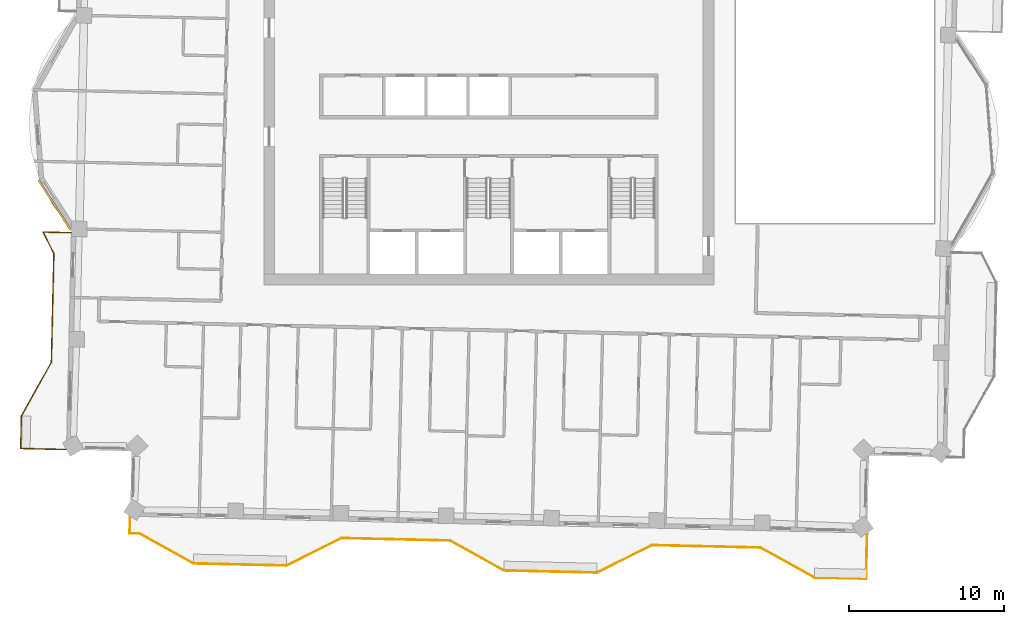
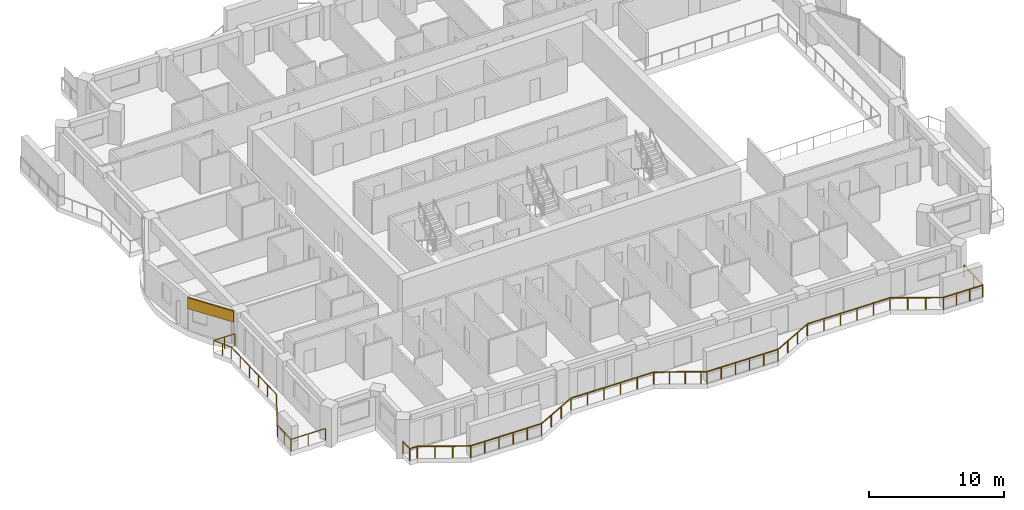
# One storey, part 14 of 17: 2 railings, 1 covering.
"""IFC4 building model written with IfcOpenShell, lengths in metres."""

from ifc_helpers import new_model, si_unit, direction, frame, frame_2d, origin, origin_2d, place, context, subcontext, project, spatial, rectangle, extrude, material, layer, layer_set, type_object, element, save


model = new_model("IFC4")

# Units and contexts
model_context = context("Model", 3, precision=1e-05, world=origin(), true_north=direction((0.0, 1.0)))
body_context = subcontext(model_context, "Body", "Model", "MODEL_VIEW")
ifc_project = project(units=[si_unit("LENGTHUNIT", "METRE"), si_unit("AREAUNIT", "SQUARE_METRE"), si_unit("VOLUMEUNIT", "CUBIC_METRE"), si_unit("PLANEANGLEUNIT", "RADIAN"), si_unit("MASSUNIT", "GRAM", prefix="KILO")], contexts=[model_context])

# Site, building, storey
site_placement = place(None, origin())
site = spatial("IfcSite", under=ifc_project, at=site_placement, CompositionType="ELEMENT")
building_placement = place(site_placement, origin())
building = spatial("IfcBuilding", under=site, at=building_placement, Name="Mangrove Gate Tower", CompositionType="ELEMENT")
storey_placement = place(building_placement, frame((0.0, 0.0, 257.300048828125)))
storey = spatial("IfcBuildingStorey", under=building, at=storey_placement, Name="L65", CompositionType="ELEMENT", Elevation=257.300048828125)

# Railings
ifc_material_1 = material(Name="Stainless steel grade 316 with laminated glass infill", Category="steel")
railing_type = type_object("IfcRailingType", Name="Balcony guard 1100", PredefinedType="GUARDRAIL", material=ifc_material_1)
railing_1_placement = place(storey_placement, frame((-26.929931640625, -8.1298828125, 0.0)))
element("IfcRailing", 1, at=railing_1_placement, inside=storey, type_object=railing_type, Name="GUARD L65 W2", PredefinedType="GUARDRAIL", context=body_context, shape_type="SweptSolid", body=[
    extrude(rectangle(XDim=0.048095703125, YDim=0.048095703125, at=origin_2d()), frame((0.0, 0.0, 1.076171875), z_axis=(-0.99973957308, 0.022820736564, 0.0), x_axis=(-0.022820736564, -0.99973957308, 0.0)), (0.0, 0.0, 1.0), 1.78662109375),
    extrude(rectangle(XDim=0.048095703125, YDim=0.048095703125, at=origin_2d()), frame((-1.7861328125, 0.040771484375, 1.076171875), z_axis=(0.447025166118, -0.894521380883, 0.0), x_axis=(0.894521380883, 0.447025166118, 0.0)), (0.0, 0.0, 1.0), 1.554931640625),
    extrude(rectangle(XDim=0.048095703125, YDim=0.048095703125, at=origin_2d()), frame((-1.091064453125, -1.35009765625, 1.076171875), z_axis=(-0.022705559911, -0.999742195543, 0.0), x_axis=(0.999742195543, -0.022705559911, 0.0)), (0.0, 0.0, 1.0), 6.999755859375),
    extrude(rectangle(XDim=0.048095703125, YDim=0.048095703125, at=origin_2d()), frame((-1.25, -8.34814453125, 1.076171875), z_axis=(-0.48726008209, -0.87325689943, 0.0), x_axis=(0.87325689943, -0.48726008209, 0.0)), (0.0, 0.0, 1.0), 3.958740234375),
    extrude(rectangle(XDim=0.048095703125, YDim=0.048095703125, at=origin_2d()), frame((-3.178955078125, -11.80517578125, 1.076171875), z_axis=(-0.022898307927, -0.999737799372, 0.0), x_axis=(0.999737799372, -0.022898307927, 0.0)), (0.0, 0.0, 1.0), 2.100341796875),
    extrude(rectangle(XDim=0.048095703125, YDim=0.048095703125, at=origin_2d()), frame((-3.22705078125, -13.905029296875, 1.076171875), z_axis=(0.999741618984, -0.02273093202, 0.0), x_axis=(0.02273093202, 0.999741618984, 0.0)), (0.0, 0.0, 1.0), 2.91064453125),
    extrude(rectangle(XDim=0.0419921875, YDim=0.0419921875, at=origin_2d()), origin(), (0.0, 0.0, 1.0), 1.052001953125),
    extrude(rectangle(XDim=0.0419921875, YDim=0.0419921875, at=origin_2d()), frame((-0.89306640625, 0.0205078125, 0.0)), (0.0, 0.0, 1.0), 1.052001953125),
    extrude(rectangle(XDim=0.0419921875, YDim=0.0419921875, at=origin_2d()), frame((-1.7861328125, 0.040771484375, 0.0)), (0.0, 0.0, 1.0), 1.052001953125),
    extrude(rectangle(XDim=0.0419921875, YDim=0.0419921875, at=origin_2d()), frame((-1.4384765625, -0.65478515625, 0.0)), (0.0, 0.0, 1.0), 1.052001953125),
    extrude(rectangle(XDim=0.0419921875, YDim=0.0419921875, at=origin_2d()), frame((-1.091064453125, -1.35009765625, 0.0)), (0.0, 0.0, 1.0), 1.052001953125),
    extrude(rectangle(XDim=0.0419921875, YDim=0.0419921875, at=origin_2d()), frame((-1.122802734375, -2.749755859375, 0.0)), (0.0, 0.0, 1.0), 1.052001953125),
    extrude(rectangle(XDim=0.0419921875, YDim=0.0419921875, at=origin_2d()), frame((-1.154541015625, -4.1494140625, 0.0)), (0.0, 0.0, 1.0), 1.052001953125),
    extrude(rectangle(XDim=0.0419921875, YDim=0.0419921875, at=origin_2d()), frame((-1.1865234375, -5.548828125, 0.0)), (0.0, 0.0, 1.0), 1.052001953125),
    extrude(rectangle(XDim=0.0419921875, YDim=0.0419921875, at=origin_2d()), frame((-1.21826171875, -6.948486328125, 0.0)), (0.0, 0.0, 1.0), 1.052001953125),
    extrude(rectangle(XDim=0.0419921875, YDim=0.0419921875, at=origin_2d()), frame((-1.25, -8.34814453125, 0.0)), (0.0, 0.0, 1.0), 1.052001953125),
    extrude(rectangle(XDim=0.0419921875, YDim=0.0419921875, at=origin_2d()), frame((-1.89306640625, -9.50048828125, 0.0)), (0.0, 0.0, 1.0), 1.052001953125),
    extrude(rectangle(XDim=0.0419921875, YDim=0.0419921875, at=origin_2d()), frame((-2.535888671875, -10.65283203125, 0.0)), (0.0, 0.0, 1.0), 1.052001953125),
    extrude(rectangle(XDim=0.0419921875, YDim=0.0419921875, at=origin_2d()), frame((-3.178955078125, -11.80517578125, 0.0)), (0.0, 0.0, 1.0), 1.052001953125),
    extrude(rectangle(XDim=0.0419921875, YDim=0.0419921875, at=origin_2d()), frame((-3.203125, -12.85498046875, 0.0)), (0.0, 0.0, 1.0), 1.052001953125),
    extrude(rectangle(XDim=0.0419921875, YDim=0.0419921875, at=origin_2d()), frame((-3.22705078125, -13.905029296875, 0.0)), (0.0, 0.0, 1.0), 1.052001953125),
    extrude(rectangle(XDim=0.0419921875, YDim=0.0419921875, at=origin_2d()), frame((-1.77197265625, -13.93798828125, 0.0)), (0.0, 0.0, 1.0), 1.052001953125),
    extrude(rectangle(XDim=0.0419921875, YDim=0.0419921875, at=origin_2d()), frame((-0.317138671875, -13.97119140625, 0.0)), (0.0, 0.0, 1.0), 1.052001953125),
])
railing_2_placement = place(storey_placement, frame((-23.10498046875, -26.43603515625, 0.0)))
element("IfcRailing", 2, at=railing_2_placement, inside=storey, type_object=railing_type, Name="GUARD L65 S1", PredefinedType="GUARDRAIL", context=body_context, shape_type="SweptSolid", body=[
    extrude(rectangle(XDim=0.048095703125, YDim=0.048095703125, at=origin_2d()), frame((0.0, 0.0, 1.076171875), z_axis=(-0.022564497502, -0.999745389313, 0.0), x_axis=(0.999745389313, -0.022564497502, 0.0)), (0.0, 0.0, 1.0), 1.060302734375),
    extrude(rectangle(XDim=0.048095703125, YDim=0.048095703125, at=origin_2d()), frame((-0.02392578125, -1.06005859375, 1.076171875), z_axis=(0.999760696888, -0.02187576189, 0.0), x_axis=(0.02187576189, 0.999760696888, 0.0)), (0.0, 0.0, 1.0), 0.63623046875),
    extrude(rectangle(XDim=0.048095703125, YDim=0.048095703125, at=origin_2d()), frame((0.612060546875, -1.073974609375, 1.076171875), z_axis=(0.87325689943, -0.48726008209, 0.0), x_axis=(0.48726008209, 0.87325689943, 0.0)), (0.0, 0.0, 1.0), 3.958740234375),
    extrude(rectangle(XDim=0.048095703125, YDim=0.048095703125, at=origin_2d()), frame((4.069091796875, -3.0029296875, 1.076171875), z_axis=(0.999743157205, -0.022663177671, 0.0), x_axis=(0.022663177671, 0.999743157205, 0.0)), (0.0, 0.0, 1.0), 6.000244140625),
    extrude(rectangle(XDim=0.048095703125, YDim=0.048095703125, at=origin_2d()), frame((10.06787109375, -3.138916015625, 1.076171875), z_axis=(0.894476522376, 0.447114919141, 0.0), x_axis=(-0.447114919141, 0.894476522376, 0.0)), (0.0, 0.0, 1.0), 3.958740234375),
    extrude(rectangle(XDim=0.048095703125, YDim=0.048095703125, at=origin_2d()), frame((13.60888671875, -1.368896484375, 1.076171875), z_axis=(0.999741403216, -0.022740419861, 0.0), x_axis=(0.022740419861, 0.999741403216, 0.0)), (0.0, 0.0, 1.0), 6.999755859375),
    extrude(rectangle(XDim=0.048095703125, YDim=0.048095703125, at=origin_2d()), frame((20.60693359375, -1.528076171875, 1.076171875), z_axis=(0.87332171879, -0.487143896082, 0.0), x_axis=(0.487143896082, 0.87332171879, 0.0)), (0.0, 0.0, 1.0), 3.506103515625),
    extrude(rectangle(XDim=0.048095703125, YDim=0.048095703125, at=origin_2d()), frame((23.6689453125, -3.236083984375, 1.076171875), z_axis=(0.872754252062, -0.488159825782, 0.0), x_axis=(0.488159825782, 0.872754252062, 0.0)), (0.0, 0.0, 1.0), 0.45263671875),
    extrude(rectangle(XDim=0.048095703125, YDim=0.048095703125, at=origin_2d()), frame((24.06396484375, -3.45703125, 1.076171875), z_axis=(0.999743178102, -0.022662255828, 0.0), x_axis=(0.022662255828, 0.999743178102, 0.0)), (0.0, 0.0, 1.0), 6.00048828125),
    extrude(rectangle(XDim=0.048095703125, YDim=0.048095703125, at=origin_2d()), frame((30.06298828125, -3.593017578125, 1.076171875), z_axis=(0.894476522376, 0.447114919141, 0.0), x_axis=(-0.447114919141, 0.894476522376, 0.0)), (0.0, 0.0, 1.0), 3.958740234375),
    extrude(rectangle(XDim=0.048095703125, YDim=0.048095703125, at=origin_2d()), frame((33.60400390625, -1.822998046875, 1.076171875), z_axis=(0.999742195543, -0.022705559911, 0.0), x_axis=(0.022705559911, 0.999742195543, 0.0)), (0.0, 0.0, 1.0), 6.999755859375),
    extrude(rectangle(XDim=0.048095703125, YDim=0.048095703125, at=origin_2d()), frame((40.60205078125, -1.98193359375, 1.076171875), z_axis=(0.873361856081, -0.487071933437, 0.0), x_axis=(0.487071933437, 0.873361856081, 0.0)), (0.0, 0.0, 1.0), 3.958251953125),
    extrude(rectangle(XDim=0.048095703125, YDim=0.048095703125, at=origin_2d()), frame((44.05908203125, -3.909912109375, 1.076171875), z_axis=(0.99973925985, -0.022834454544, 0.0), x_axis=(0.022834454544, 0.99973925985, 0.0)), (0.0, 0.0, 1.0), 3.3359375),
    extrude(rectangle(XDim=0.048095703125, YDim=0.048095703125, at=origin_2d()), frame((47.39404296875, -3.986083984375, 1.076171875), z_axis=(0.022652795902, 0.999743392495, 0.0), x_axis=(-0.999743392495, 0.022652795902, 0.0)), (0.0, 0.0, 1.0), 2.909912109375),
    extrude(rectangle(XDim=0.0419921875, YDim=0.0419921875, at=origin_2d()), origin(), (0.0, 0.0, 1.0), 1.052001953125),
    extrude(rectangle(XDim=0.0419921875, YDim=0.0419921875, at=origin_2d()), frame((-0.02392578125, -1.06005859375, 0.0)), (0.0, 0.0, 1.0), 1.052001953125),
    extrude(rectangle(XDim=0.0419921875, YDim=0.0419921875, at=origin_2d()), frame((0.612060546875, -1.073974609375, 0.0)), (0.0, 0.0, 1.0), 1.052001953125),
    extrude(rectangle(XDim=0.0419921875, YDim=0.0419921875, at=origin_2d()), frame((1.764404296875, -1.717041015625, 0.0)), (0.0, 0.0, 1.0), 1.052001953125),
    extrude(rectangle(XDim=0.0419921875, YDim=0.0419921875, at=origin_2d()), frame((2.916748046875, -2.35986328125, 0.0)), (0.0, 0.0, 1.0), 1.052001953125),
    extrude(rectangle(XDim=0.0419921875, YDim=0.0419921875, at=origin_2d()), frame((4.069091796875, -3.0029296875, 0.0)), (0.0, 0.0, 1.0), 1.052001953125),
    extrude(rectangle(XDim=0.0419921875, YDim=0.0419921875, at=origin_2d()), frame((5.268798828125, -3.030029296875, 0.0)), (0.0, 0.0, 1.0), 1.052001953125),
    extrude(rectangle(XDim=0.0419921875, YDim=0.0419921875, at=origin_2d()), frame((6.468505859375, -3.057373046875, 0.0)), (0.0, 0.0, 1.0), 1.052001953125),
    extrude(rectangle(XDim=0.0419921875, YDim=0.0419921875, at=origin_2d()), frame((7.66845703125, -3.08447265625, 0.0)), (0.0, 0.0, 1.0), 1.052001953125),
    extrude(rectangle(XDim=0.0419921875, YDim=0.0419921875, at=origin_2d()), frame((8.8681640625, -3.11181640625, 0.0)), (0.0, 0.0, 1.0), 1.052001953125),
    extrude(rectangle(XDim=0.0419921875, YDim=0.0419921875, at=origin_2d()), frame((10.06787109375, -3.138916015625, 0.0)), (0.0, 0.0, 1.0), 1.052001953125),
    extrude(rectangle(XDim=0.0419921875, YDim=0.0419921875, at=origin_2d()), frame((11.248291015625, -2.548828125, 0.0)), (0.0, 0.0, 1.0), 1.052001953125),
    extrude(rectangle(XDim=0.0419921875, YDim=0.0419921875, at=origin_2d()), frame((12.428466796875, -1.958984375, 0.0)), (0.0, 0.0, 1.0), 1.052001953125),
    extrude(rectangle(XDim=0.0419921875, YDim=0.0419921875, at=origin_2d()), frame((13.60888671875, -1.368896484375, 0.0)), (0.0, 0.0, 1.0), 1.052001953125),
    extrude(rectangle(XDim=0.0419921875, YDim=0.0419921875, at=origin_2d()), frame((15.008544921875, -1.400634765625, 0.0)), (0.0, 0.0, 1.0), 1.052001953125),
    extrude(rectangle(XDim=0.0419921875, YDim=0.0419921875, at=origin_2d()), frame((16.408203125, -1.4326171875, 0.0)), (0.0, 0.0, 1.0), 1.052001953125),
    extrude(rectangle(XDim=0.0419921875, YDim=0.0419921875, at=origin_2d()), frame((17.8076171875, -1.46435546875, 0.0)), (0.0, 0.0, 1.0), 1.052001953125),
    extrude(rectangle(XDim=0.0419921875, YDim=0.0419921875, at=origin_2d()), frame((19.207275390625, -1.496337890625, 0.0)), (0.0, 0.0, 1.0), 1.052001953125),
    extrude(rectangle(XDim=0.0419921875, YDim=0.0419921875, at=origin_2d()), frame((20.60693359375, -1.528076171875, 0.0)), (0.0, 0.0, 1.0), 1.052001953125),
    extrude(rectangle(XDim=0.0419921875, YDim=0.0419921875, at=origin_2d()), frame((21.627685546875, -2.097412109375, 0.0)), (0.0, 0.0, 1.0), 1.052001953125),
    extrude(rectangle(XDim=0.0419921875, YDim=0.0419921875, at=origin_2d()), frame((22.648193359375, -2.666748046875, 0.0)), (0.0, 0.0, 1.0), 1.052001953125),
    extrude(rectangle(XDim=0.0419921875, YDim=0.0419921875, at=origin_2d()), frame((23.6689453125, -3.236083984375, 0.0)), (0.0, 0.0, 1.0), 1.052001953125),
    extrude(rectangle(XDim=0.0419921875, YDim=0.0419921875, at=origin_2d()), frame((24.06396484375, -3.45703125, 0.0)), (0.0, 0.0, 1.0), 1.052001953125),
    extrude(rectangle(XDim=0.0419921875, YDim=0.0419921875, at=origin_2d()), frame((25.263671875, -3.484130859375, 0.0)), (0.0, 0.0, 1.0), 1.052001953125),
    extrude(rectangle(XDim=0.0419921875, YDim=0.0419921875, at=origin_2d()), frame((26.463623046875, -3.511474609375, 0.0)), (0.0, 0.0, 1.0), 1.052001953125),
    extrude(rectangle(XDim=0.0419921875, YDim=0.0419921875, at=origin_2d()), frame((27.663330078125, -3.53857421875, 0.0)), (0.0, 0.0, 1.0), 1.052001953125),
    extrude(rectangle(XDim=0.0419921875, YDim=0.0419921875, at=origin_2d()), frame((28.86328125, -3.56591796875, 0.0)), (0.0, 0.0, 1.0), 1.052001953125),
    extrude(rectangle(XDim=0.0419921875, YDim=0.0419921875, at=origin_2d()), frame((30.06298828125, -3.593017578125, 0.0)), (0.0, 0.0, 1.0), 1.052001953125),
    extrude(rectangle(XDim=0.0419921875, YDim=0.0419921875, at=origin_2d()), frame((31.243408203125, -3.0029296875, 0.0)), (0.0, 0.0, 1.0), 1.052001953125),
    extrude(rectangle(XDim=0.0419921875, YDim=0.0419921875, at=origin_2d()), frame((32.423583984375, -2.4130859375, 0.0)), (0.0, 0.0, 1.0), 1.052001953125),
    extrude(rectangle(XDim=0.0419921875, YDim=0.0419921875, at=origin_2d()), frame((33.60400390625, -1.822998046875, 0.0)), (0.0, 0.0, 1.0), 1.052001953125),
    extrude(rectangle(XDim=0.0419921875, YDim=0.0419921875, at=origin_2d()), frame((35.003662109375, -1.854736328125, 0.0)), (0.0, 0.0, 1.0), 1.052001953125),
    extrude(rectangle(XDim=0.0419921875, YDim=0.0419921875, at=origin_2d()), frame((36.4033203125, -1.886474609375, 0.0)), (0.0, 0.0, 1.0), 1.052001953125),
    extrude(rectangle(XDim=0.0419921875, YDim=0.0419921875, at=origin_2d()), frame((37.802734375, -1.91845703125, 0.0)), (0.0, 0.0, 1.0), 1.052001953125),
    extrude(rectangle(XDim=0.0419921875, YDim=0.0419921875, at=origin_2d()), frame((39.202392578125, -1.9501953125, 0.0)), (0.0, 0.0, 1.0), 1.052001953125),
    extrude(rectangle(XDim=0.0419921875, YDim=0.0419921875, at=origin_2d()), frame((40.60205078125, -1.98193359375, 0.0)), (0.0, 0.0, 1.0), 1.052001953125),
    extrude(rectangle(XDim=0.0419921875, YDim=0.0419921875, at=origin_2d()), frame((41.75439453125, -2.62451171875, 0.0)), (0.0, 0.0, 1.0), 1.052001953125),
    extrude(rectangle(XDim=0.0419921875, YDim=0.0419921875, at=origin_2d()), frame((42.90673828125, -3.267333984375, 0.0)), (0.0, 0.0, 1.0), 1.052001953125),
    extrude(rectangle(XDim=0.0419921875, YDim=0.0419921875, at=origin_2d()), frame((44.05908203125, -3.909912109375, 0.0)), (0.0, 0.0, 1.0), 1.052001953125),
    extrude(rectangle(XDim=0.0419921875, YDim=0.0419921875, at=origin_2d()), frame((45.170654296875, -3.935302734375, 0.0)), (0.0, 0.0, 1.0), 1.052001953125),
    extrude(rectangle(XDim=0.0419921875, YDim=0.0419921875, at=origin_2d()), frame((46.282470703125, -3.960693359375, 0.0)), (0.0, 0.0, 1.0), 1.052001953125),
    extrude(rectangle(XDim=0.0419921875, YDim=0.0419921875, at=origin_2d()), frame((47.39404296875, -3.986083984375, 0.0)), (0.0, 0.0, 1.0), 1.052001953125),
    extrude(rectangle(XDim=0.0419921875, YDim=0.0419921875, at=origin_2d()), frame((47.427001953125, -2.531494140625, 0.0)), (0.0, 0.0, 1.0), 1.052001953125),
    extrude(rectangle(XDim=0.0419921875, YDim=0.0419921875, at=origin_2d()), frame((47.4599609375, -1.076904296875, 0.0)), (0.0, 0.0, 1.0), 1.052001953125),
])

# Covering
ifc_material_2 = material(Name="Limestone", Category="masonry")
ifc_layer_1 = layer(ifc_material_2, 0.0400390625, Name="Limestone cladding")
ifc_material_3 = material(Name="Stainless steel anchors and cavity", Category="steel")
ifc_layer_2 = layer(ifc_material_3, 0.080078125, Name="Fixing cavity")
ifc_layer_set = layer_set([ifc_layer_1, ifc_layer_2], Name="Joint fascia cladding 120")
covering_type = type_object("IfcCoveringType", Name="Joint fascia cladding 120", PredefinedType="CLADDING", material=ifc_layer_set)
covering_placement = place(storey_placement, frame((-28.9951171875, -4.7470703125, 2.050048828125), z_axis=(0.0, 0.0, 1.0), x_axis=(0.540647704351, -0.841249106853, 0.0)))
element("IfcCovering", 3, at=covering_placement, inside=storey, type_object=covering_type, Name="STONE FASCIA L65 W9.L2", PredefinedType="CLADDING", context=body_context, shape_type="SweptSolid", body=[
    extrude(rectangle(XDim=3.818115234375, YDim=0.1201171875, at=frame_2d((1.9091796875, 0.0))), origin(), (0.0, 0.0, 1.0), 1.0),
])

save(model, "model.ifc")
